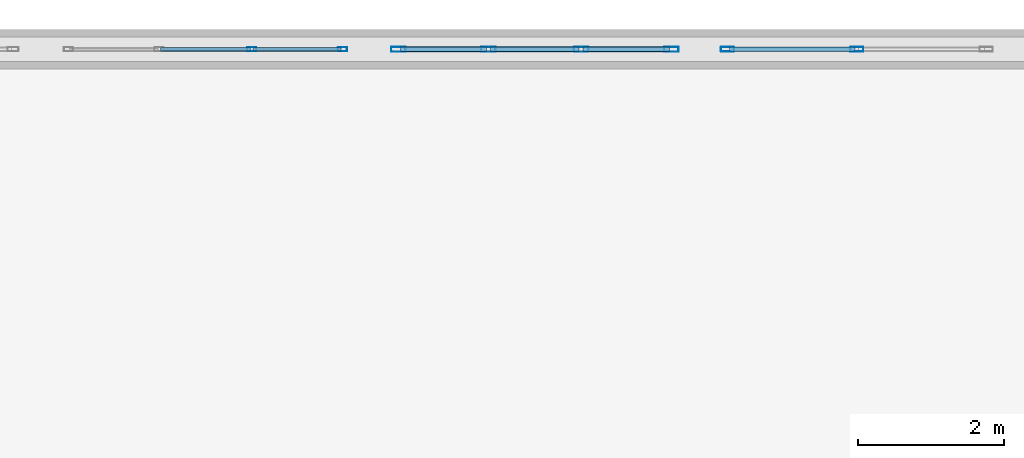
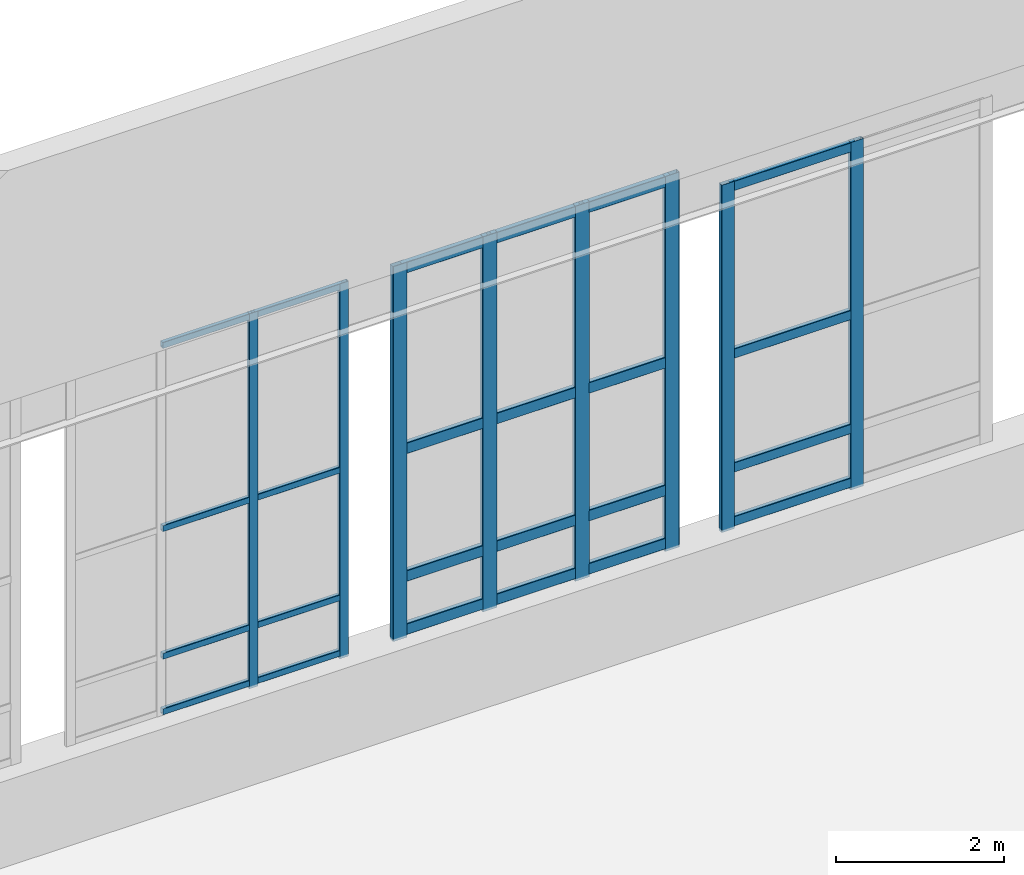
# One storey, part 67 of 97: 32 members, 3 elements without a shape of their own.
"""IFC4 building model written with IfcOpenShell, lengths in metres."""

from ifc_helpers import new_model, si_unit, derived_unit, direction, frame, origin, origin_2d, place, context, subcontext, project, spatial, hollow_rectangle, extrude, material, layer, layer_set, material_profile, profile_set, type_object, element, aggregate, save


model = new_model("IFC4")

# Units and contexts
model_context = context("Model", 3, precision=1e-05, world=origin(), true_north=direction((0.0, 1.0)))
body_context = subcontext(model_context, "Body", "Model", "MODEL_VIEW")
ifc_project = project(units=[si_unit("LENGTHUNIT", "METRE"), si_unit("AREAUNIT", "SQUARE_METRE"), si_unit("VOLUMEUNIT", "CUBIC_METRE"), si_unit("PLANEANGLEUNIT", "RADIAN"), si_unit("MASSUNIT", "GRAM", prefix="KILO"), derived_unit("THERMALTRANSMITTANCEUNIT", [(si_unit("POWERUNIT", "WATT"), 1), (si_unit("LENGTHUNIT", "METRE"), -2), (si_unit("THERMODYNAMICTEMPERATUREUNIT", "KELVIN"), -1)])], contexts=[model_context])

# Site, building, storey
site_placement = place(None, origin())
site = spatial("IfcSite", under=ifc_project, at=site_placement, CompositionType="ELEMENT")
building_placement = place(site_placement, origin())
building = spatial("IfcBuilding", under=site, at=building_placement, Name="Almenara Railside Exhibition Hall", CompositionType="ELEMENT")
storey_placement = place(building_placement, frame((0.0, 0.0, 10.800048828125)))
storey = spatial("IfcBuildingStorey", under=building, at=storey_placement, Name="L02", CompositionType="ELEMENT", Elevation=10.800048828125)

# Curtain wall, members
ifc_material_1 = material(Name="Bronze-anodised aluminium and low-E double glazing", Category="aluminium")
ifc_layer_1 = layer(ifc_material_1, 0.179931640625, Name="Bronze-anodised aluminium and low-E double glazing")
ifc_layer_set_1 = layer_set([ifc_layer_1], Name="Bronze-anodised aluminium and low-E double glazing")
curtain_wall_type_1 = type_object("IfcCurtainWallType", Name="Scroll Gable Tall Curtain Wall 3800x5400", PredefinedType="NOTDEFINED", material=ifc_layer_set_1)
curtain_wall_1_placement = place(storey_placement, origin())
curtain_wall_1 = element("IfcCurtainWall", 1, at=curtain_wall_1_placement, inside=storey, type_object=curtain_wall_type_1, Name="Curtain wall CW-G1-047", PredefinedType="NOTDEFINED")
ifc_material_2 = material(Name="Bronze-anodised aluminium", Category="aluminium")
ifc_material_profile_1 = material_profile(ifc_material_2, hollow_rectangle(XDim=0.054931640625, YDim=0.125, WallThickness=0.0029296875, InnerFilletRadius=0.0029296875, OuterFilletRadius=0.006103515625, at=origin_2d()), Name="ALU-MUL 55x125x3")
ifc_profile_set_1 = profile_set([ifc_material_profile_1], Name="Bronze-anodised aluminium")
member_type_1 = type_object("IfcMemberType", Name="Curtain Wall Mullion 55x125x3", PredefinedType="MULLION", material=ifc_profile_set_1)
member_1_placement = place(storey_placement, frame((39.2333984375, 132.0, 1.21484375), z_axis=(0.0, 0.0, 1.0), x_axis=(0.0, 1.0, 0.0)))
member_1 = element("IfcMember", 2, at=member_1_placement, type_object=member_type_1, Name="CW-G1-047 mullion 3", PredefinedType="MULLION", context=body_context, shape_type="SweptSolid", body=[
    extrude(hollow_rectangle(XDim=0.054931640625, YDim=0.125, WallThickness=0.0029296875, InnerFilletRadius=0.0029296875, OuterFilletRadius=0.006103515625, at=origin_2d()), origin(), (0.0, 0.0, 1.0), 5.43505859375),
])
member_2_placement = place(storey_placement, frame((40.472412109375, 132.0, 1.21484375), z_axis=(0.0, 0.0, 1.0), x_axis=(0.0, 1.0, 0.0)))
member_2 = element("IfcMember", 3, at=member_2_placement, type_object=member_type_1, Name="CW-G1-047 mullion 4", PredefinedType="MULLION", context=body_context, shape_type="SweptSolid", body=[
    extrude(hollow_rectangle(XDim=0.054931640625, YDim=0.125, WallThickness=0.0029296875, InnerFilletRadius=0.0029296875, OuterFilletRadius=0.006103515625, at=origin_2d()), origin(), (0.0, 0.0, 1.0), 5.43505859375),
])

ifc_layer_2 = layer(ifc_material_1, 0.179931640625, Name="Bronze-anodised aluminium and low-E double glazing")
ifc_layer_set_2 = layer_set([ifc_layer_2], Name="Bronze-anodised aluminium and low-E double glazing")
curtain_wall_type_2 = type_object("IfcCurtainWallType", Name="Scroll Gable Standard Curtain Wall 3600x5000", PredefinedType="NOTDEFINED", material=ifc_layer_set_2)
curtain_wall_2_placement = place(storey_placement, origin())
curtain_wall_2 = element("IfcCurtainWall", 4, at=curtain_wall_2_placement, inside=storey, type_object=curtain_wall_type_2, Name="Curtain wall CW-G2-049", PredefinedType="NOTDEFINED")
ifc_material_profile_2 = material_profile(ifc_material_2, hollow_rectangle(XDim=0.06494140625, YDim=0.179931640625, WallThickness=0.00390625, InnerFilletRadius=0.00390625, OuterFilletRadius=0.008056640625, at=origin_2d()), Name="ALU-MUL 65x180x4")
ifc_profile_set_2 = profile_set([ifc_material_profile_2], Name="Bronze-anodised aluminium")
member_type_2 = type_object("IfcMemberType", Name="Curtain Wall Mullion 65x180x4", PredefinedType="MULLION", material=ifc_profile_set_2)
member_3_placement = place(storey_placement, frame((45.732421875, 132.0, 1.21484375), z_axis=(0.0, 0.0, 1.0), x_axis=(0.0, 1.0, 0.0)))
member_3 = element("IfcMember", 5, at=member_3_placement, type_object=member_type_2, Name="CW-G2-049 mullion 1", PredefinedType="MULLION", context=body_context, shape_type="SweptSolid", body=[
    extrude(hollow_rectangle(XDim=0.06494140625, YDim=0.179931640625, WallThickness=0.00390625, InnerFilletRadius=0.00390625, OuterFilletRadius=0.008056640625, at=origin_2d()), origin(), (0.0, 0.0, 1.0), 5.03515625),
])
member_4_placement = place(storey_placement, frame((47.5, 132.0, 1.21484375), z_axis=(0.0, 0.0, 1.0), x_axis=(0.0, 1.0, 0.0)))
member_4 = element("IfcMember", 6, at=member_4_placement, type_object=member_type_2, Name="CW-G2-049 mullion 2", PredefinedType="MULLION", context=body_context, shape_type="SweptSolid", body=[
    extrude(hollow_rectangle(XDim=0.06494140625, YDim=0.179931640625, WallThickness=0.00390625, InnerFilletRadius=0.00390625, OuterFilletRadius=0.008056640625, at=origin_2d()), origin(), (0.0, 0.0, 1.0), 5.03515625),
])

curtain_wall_3_placement = place(storey_placement, origin())
curtain_wall_3 = element("IfcCurtainWall", 7, at=curtain_wall_3_placement, inside=storey, type_object=curtain_wall_type_1, Name="Curtain wall CW-G1-048", PredefinedType="NOTDEFINED")
ifc_material_profile_3 = material_profile(ifc_material_2, hollow_rectangle(XDim=0.070068359375, YDim=0.199951171875, WallThickness=0.00439453125, InnerFilletRadius=0.00439453125, OuterFilletRadius=0.009033203125, at=origin_2d()), Name="ALU-MUL 70x200x4.5")
ifc_profile_set_3 = profile_set([ifc_material_profile_3], Name="Bronze-anodised aluminium")
member_type_3 = type_object("IfcMemberType", Name="Curtain Wall Mullion 70x200x4.5", PredefinedType="MULLION", material=ifc_profile_set_3)
member_5_placement = place(storey_placement, frame((41.235107421875, 132.0, 1.21484375), z_axis=(0.0, 0.0, 1.0), x_axis=(0.0, 1.0, 0.0)))
member_5 = element("IfcMember", 8, at=member_5_placement, type_object=member_type_3, Name="CW-G1-048 mullion 1", PredefinedType="MULLION", context=body_context, shape_type="SweptSolid", body=[
    extrude(hollow_rectangle(XDim=0.070068359375, YDim=0.199951171875, WallThickness=0.00439453125, InnerFilletRadius=0.00439453125, OuterFilletRadius=0.009033203125, at=origin_2d()), origin(), (0.0, 0.0, 1.0), 5.43505859375),
])
member_6_placement = place(storey_placement, frame((42.466552734375, 132.0, 1.21484375), z_axis=(0.0, 0.0, 1.0), x_axis=(0.0, 1.0, 0.0)))
member_6 = element("IfcMember", 9, at=member_6_placement, type_object=member_type_3, Name="CW-G1-048 mullion 2", PredefinedType="MULLION", context=body_context, shape_type="SweptSolid", body=[
    extrude(hollow_rectangle(XDim=0.070068359375, YDim=0.199951171875, WallThickness=0.00439453125, InnerFilletRadius=0.00439453125, OuterFilletRadius=0.009033203125, at=origin_2d()), origin(), (0.0, 0.0, 1.0), 5.43505859375),
])
member_7_placement = place(storey_placement, frame((43.7333984375, 132.0, 1.21484375), z_axis=(0.0, 0.0, 1.0), x_axis=(0.0, 1.0, 0.0)))
member_7 = element("IfcMember", 10, at=member_7_placement, type_object=member_type_3, Name="CW-G1-048 mullion 3", PredefinedType="MULLION", context=body_context, shape_type="SweptSolid", body=[
    extrude(hollow_rectangle(XDim=0.070068359375, YDim=0.199951171875, WallThickness=0.00439453125, InnerFilletRadius=0.00439453125, OuterFilletRadius=0.009033203125, at=origin_2d()), origin(), (0.0, 0.0, 1.0), 5.43505859375),
])
member_8_placement = place(storey_placement, frame((44.965087890625, 132.0, 1.21484375), z_axis=(0.0, 0.0, 1.0), x_axis=(0.0, 1.0, 0.0)))
member_8 = element("IfcMember", 11, at=member_8_placement, type_object=member_type_3, Name="CW-G1-048 mullion 4", PredefinedType="MULLION", context=body_context, shape_type="SweptSolid", body=[
    extrude(hollow_rectangle(XDim=0.070068359375, YDim=0.199951171875, WallThickness=0.00439453125, InnerFilletRadius=0.00439453125, OuterFilletRadius=0.009033203125, at=origin_2d()), origin(), (0.0, 0.0, 1.0), 5.43505859375),
])

# Member
ifc_material_profile_4 = material_profile(ifc_material_2, hollow_rectangle(XDim=0.054931640625, YDim=0.090087890625, WallThickness=0.0029296875, InnerFilletRadius=0.0029296875, OuterFilletRadius=0.006103515625, at=origin_2d()), Name="ALU-TRN 55x90x3")
ifc_profile_set_4 = profile_set([ifc_material_profile_4], Name="Bronze-anodised aluminium")
member_type_4 = type_object("IfcMemberType", Name="Curtain Wall Transom 55x90x3", PredefinedType="USERDEFINED", material=ifc_profile_set_4)
member_9_placement = place(storey_placement, frame((37.986083984375, 132.0, 1.294921875), z_axis=(1.0, 0.0, 0.0), x_axis=(0.0, 1.0, 0.0)))
member_9 = element("IfcMember", 12, at=member_9_placement, type_object=member_type_4, Name="CW-G1-047 transom 2.1", ObjectType="TRANSOM", PredefinedType="USERDEFINED", context=body_context, shape_type="SweptSolid", body=[
    extrude(hollow_rectangle(XDim=0.054931640625, YDim=0.090087890625, WallThickness=0.0029296875, InnerFilletRadius=0.0029296875, OuterFilletRadius=0.006103515625, at=origin_2d()), origin(), (0.0, 0.0, 1.0), 1.227783203125),
])

member_10_placement = place(storey_placement, frame((37.986083984375, 132.0, 2.099853515625), z_axis=(1.0, 0.0, 0.0), x_axis=(0.0, 1.0, 0.0)))
member_10 = element("IfcMember", 13, at=member_10_placement, type_object=member_type_4, Name="CW-G1-047 transom 2.2", ObjectType="TRANSOM", PredefinedType="USERDEFINED", context=body_context, shape_type="SweptSolid", body=[
    extrude(hollow_rectangle(XDim=0.054931640625, YDim=0.090087890625, WallThickness=0.0029296875, InnerFilletRadius=0.0029296875, OuterFilletRadius=0.006103515625, at=origin_2d()), origin(), (0.0, 0.0, 1.0), 1.227783203125),
])

member_11_placement = place(storey_placement, frame((37.986083984375, 132.0, 3.949951171875), z_axis=(1.0, 0.0, 0.0), x_axis=(0.0, 1.0, 0.0)))
member_11 = element("IfcMember", 14, at=member_11_placement, type_object=member_type_4, Name="CW-G1-047 transom 2.3", ObjectType="TRANSOM", PredefinedType="USERDEFINED", context=body_context, shape_type="SweptSolid", body=[
    extrude(hollow_rectangle(XDim=0.054931640625, YDim=0.090087890625, WallThickness=0.0029296875, InnerFilletRadius=0.0029296875, OuterFilletRadius=0.006103515625, at=origin_2d()), origin(), (0.0, 0.0, 1.0), 1.227783203125),
])

member_12_placement = place(storey_placement, frame((37.986083984375, 132.0, 6.60498046875), z_axis=(1.0, 0.0, 0.0), x_axis=(0.0, 1.0, 0.0)))
member_12 = element("IfcMember", 15, at=member_12_placement, type_object=member_type_4, Name="CW-G1-047 transom 2.4", ObjectType="TRANSOM", PredefinedType="USERDEFINED", context=body_context, shape_type="SweptSolid", body=[
    extrude(hollow_rectangle(XDim=0.054931640625, YDim=0.090087890625, WallThickness=0.0029296875, InnerFilletRadius=0.0029296875, OuterFilletRadius=0.006103515625, at=origin_2d()), origin(), (0.0, 0.0, 1.0), 1.227783203125),
])

member_13_placement = place(storey_placement, frame((39.2529296875, 132.0, 1.294921875), z_axis=(1.0, 0.0, 0.0), x_axis=(0.0, 1.0, 0.0)))
member_13 = element("IfcMember", 16, at=member_13_placement, type_object=member_type_4, Name="CW-G1-047 transom 3.1", ObjectType="TRANSOM", PredefinedType="USERDEFINED", context=body_context, shape_type="SweptSolid", body=[
    extrude(hollow_rectangle(XDim=0.054931640625, YDim=0.090087890625, WallThickness=0.0029296875, InnerFilletRadius=0.0029296875, OuterFilletRadius=0.006103515625, at=origin_2d()), origin(), (0.0, 0.0, 1.0), 1.199951171875),
])

member_14_placement = place(storey_placement, frame((39.2529296875, 132.0, 2.099853515625), z_axis=(1.0, 0.0, 0.0), x_axis=(0.0, 1.0, 0.0)))
member_14 = element("IfcMember", 17, at=member_14_placement, type_object=member_type_4, Name="CW-G1-047 transom 3.2", ObjectType="TRANSOM", PredefinedType="USERDEFINED", context=body_context, shape_type="SweptSolid", body=[
    extrude(hollow_rectangle(XDim=0.054931640625, YDim=0.090087890625, WallThickness=0.0029296875, InnerFilletRadius=0.0029296875, OuterFilletRadius=0.006103515625, at=origin_2d()), origin(), (0.0, 0.0, 1.0), 1.199951171875),
])

member_15_placement = place(storey_placement, frame((39.2529296875, 132.0, 3.949951171875), z_axis=(1.0, 0.0, 0.0), x_axis=(0.0, 1.0, 0.0)))
member_15 = element("IfcMember", 18, at=member_15_placement, type_object=member_type_4, Name="CW-G1-047 transom 3.3", ObjectType="TRANSOM", PredefinedType="USERDEFINED", context=body_context, shape_type="SweptSolid", body=[
    extrude(hollow_rectangle(XDim=0.054931640625, YDim=0.090087890625, WallThickness=0.0029296875, InnerFilletRadius=0.0029296875, OuterFilletRadius=0.006103515625, at=origin_2d()), origin(), (0.0, 0.0, 1.0), 1.199951171875),
])

member_16_placement = place(storey_placement, frame((39.2529296875, 132.0, 6.60498046875), z_axis=(1.0, 0.0, 0.0), x_axis=(0.0, 1.0, 0.0)))
member_16 = element("IfcMember", 19, at=member_16_placement, type_object=member_type_4, Name="CW-G1-047 transom 3.4", ObjectType="TRANSOM", PredefinedType="USERDEFINED", context=body_context, shape_type="SweptSolid", body=[
    extrude(hollow_rectangle(XDim=0.054931640625, YDim=0.090087890625, WallThickness=0.0029296875, InnerFilletRadius=0.0029296875, OuterFilletRadius=0.006103515625, at=origin_2d()), origin(), (0.0, 0.0, 1.0), 1.199951171875),
])

aggregate(curtain_wall_1, [member_1, member_2, member_9, member_10, member_11, member_12, member_13, member_14, member_15, member_16])

ifc_material_profile_5 = material_profile(ifc_material_2, hollow_rectangle(XDim=0.06494140625, YDim=0.139892578125, WallThickness=0.00341796875, InnerFilletRadius=0.00341796875, OuterFilletRadius=0.007080078125, at=origin_2d()), Name="ALU-TRN 65x140x3.5")
ifc_profile_set_5 = profile_set([ifc_material_profile_5], Name="Bronze-anodised aluminium")
member_type_5 = type_object("IfcMemberType", Name="Curtain Wall Transom 65x140x3.5", PredefinedType="USERDEFINED", material=ifc_profile_set_5)
member_17_placement = place(storey_placement, frame((45.757080078125, 132.0, 1.320068359375), z_axis=(1.0, 0.0, 0.0), x_axis=(0.0, 1.0, 0.0)))
member_17 = element("IfcMember", 20, at=member_17_placement, type_object=member_type_5, Name="CW-G2-049 transom 1.1", ObjectType="TRANSOM", PredefinedType="USERDEFINED", context=body_context, shape_type="SweptSolid", body=[
    extrude(hollow_rectangle(XDim=0.06494140625, YDim=0.139892578125, WallThickness=0.00341796875, InnerFilletRadius=0.00341796875, OuterFilletRadius=0.007080078125, at=origin_2d()), origin(), (0.0, 0.0, 1.0), 1.718505859375),
])

member_18_placement = place(storey_placement, frame((45.757080078125, 132.0, 2.099853515625), z_axis=(1.0, 0.0, 0.0), x_axis=(0.0, 1.0, 0.0)))
member_18 = element("IfcMember", 21, at=member_18_placement, type_object=member_type_5, Name="CW-G2-049 transom 1.2", ObjectType="TRANSOM", PredefinedType="USERDEFINED", context=body_context, shape_type="SweptSolid", body=[
    extrude(hollow_rectangle(XDim=0.06494140625, YDim=0.139892578125, WallThickness=0.00341796875, InnerFilletRadius=0.00341796875, OuterFilletRadius=0.007080078125, at=origin_2d()), origin(), (0.0, 0.0, 1.0), 1.718505859375),
])

member_19_placement = place(storey_placement, frame((45.757080078125, 132.0, 3.75), z_axis=(1.0, 0.0, 0.0), x_axis=(0.0, 1.0, 0.0)))
member_19 = element("IfcMember", 22, at=member_19_placement, type_object=member_type_5, Name="CW-G2-049 transom 1.3", ObjectType="TRANSOM", PredefinedType="USERDEFINED", context=body_context, shape_type="SweptSolid", body=[
    extrude(hollow_rectangle(XDim=0.06494140625, YDim=0.139892578125, WallThickness=0.00341796875, InnerFilletRadius=0.00341796875, OuterFilletRadius=0.007080078125, at=origin_2d()), origin(), (0.0, 0.0, 1.0), 1.718505859375),
])

member_20_placement = place(storey_placement, frame((45.757080078125, 132.0, 6.179931640625), z_axis=(1.0, 0.0, 0.0), x_axis=(0.0, 1.0, 0.0)))
member_20 = element("IfcMember", 23, at=member_20_placement, type_object=member_type_5, Name="CW-G2-049 transom 1.4", ObjectType="TRANSOM", PredefinedType="USERDEFINED", context=body_context, shape_type="SweptSolid", body=[
    extrude(hollow_rectangle(XDim=0.06494140625, YDim=0.139892578125, WallThickness=0.00341796875, InnerFilletRadius=0.00341796875, OuterFilletRadius=0.007080078125, at=origin_2d()), origin(), (0.0, 0.0, 1.0), 1.718505859375),
])

aggregate(curtain_wall_2, [member_3, member_4, member_17, member_18, member_19, member_20])

ifc_material_profile_6 = material_profile(ifc_material_2, hollow_rectangle(XDim=0.070068359375, YDim=0.159912109375, WallThickness=0.00390625, InnerFilletRadius=0.00390625, OuterFilletRadius=0.008056640625, at=origin_2d()), Name="ALU-TRN 70x160x4")
ifc_profile_set_6 = profile_set([ifc_material_profile_6], Name="Bronze-anodised aluminium")
member_type_6 = type_object("IfcMemberType", Name="Curtain Wall Transom 70x160x4", PredefinedType="USERDEFINED", material=ifc_profile_set_6)
member_21_placement = place(storey_placement, frame((41.261962890625, 132.0, 1.329833984375), z_axis=(1.0, 0.0, 0.0), x_axis=(0.0, 1.0, 0.0)))
member_21 = element("IfcMember", 24, at=member_21_placement, type_object=member_type_6, Name="CW-G1-048 transom 1.1", ObjectType="TRANSOM", PredefinedType="USERDEFINED", context=body_context, shape_type="SweptSolid", body=[
    extrude(hollow_rectangle(XDim=0.070068359375, YDim=0.159912109375, WallThickness=0.00390625, InnerFilletRadius=0.00390625, OuterFilletRadius=0.008056640625, at=origin_2d()), origin(), (0.0, 0.0, 1.0), 1.177734375),
])

member_22_placement = place(storey_placement, frame((41.261962890625, 132.0, 2.099853515625), z_axis=(1.0, 0.0, 0.0), x_axis=(0.0, 1.0, 0.0)))
member_22 = element("IfcMember", 25, at=member_22_placement, type_object=member_type_6, Name="CW-G1-048 transom 1.2", ObjectType="TRANSOM", PredefinedType="USERDEFINED", context=body_context, shape_type="SweptSolid", body=[
    extrude(hollow_rectangle(XDim=0.070068359375, YDim=0.159912109375, WallThickness=0.00390625, InnerFilletRadius=0.00390625, OuterFilletRadius=0.008056640625, at=origin_2d()), origin(), (0.0, 0.0, 1.0), 1.177734375),
])

member_23_placement = place(storey_placement, frame((41.261962890625, 132.0, 3.949951171875), z_axis=(1.0, 0.0, 0.0), x_axis=(0.0, 1.0, 0.0)))
member_23 = element("IfcMember", 26, at=member_23_placement, type_object=member_type_6, Name="CW-G1-048 transom 1.3", ObjectType="TRANSOM", PredefinedType="USERDEFINED", context=body_context, shape_type="SweptSolid", body=[
    extrude(hollow_rectangle(XDim=0.070068359375, YDim=0.159912109375, WallThickness=0.00390625, InnerFilletRadius=0.00390625, OuterFilletRadius=0.008056640625, at=origin_2d()), origin(), (0.0, 0.0, 1.0), 1.177734375),
])

member_24_placement = place(storey_placement, frame((41.261962890625, 132.0, 6.570068359375), z_axis=(1.0, 0.0, 0.0), x_axis=(0.0, 1.0, 0.0)))
member_24 = element("IfcMember", 27, at=member_24_placement, type_object=member_type_6, Name="CW-G1-048 transom 1.4", ObjectType="TRANSOM", PredefinedType="USERDEFINED", context=body_context, shape_type="SweptSolid", body=[
    extrude(hollow_rectangle(XDim=0.070068359375, YDim=0.159912109375, WallThickness=0.00390625, InnerFilletRadius=0.00390625, OuterFilletRadius=0.008056640625, at=origin_2d()), origin(), (0.0, 0.0, 1.0), 1.177734375),
])

member_25_placement = place(storey_placement, frame((42.49365234375, 132.0, 1.329833984375), z_axis=(1.0, 0.0, 0.0), x_axis=(0.0, 1.0, 0.0)))
member_25 = element("IfcMember", 28, at=member_25_placement, type_object=member_type_6, Name="CW-G1-048 transom 2.1", ObjectType="TRANSOM", PredefinedType="USERDEFINED", context=body_context, shape_type="SweptSolid", body=[
    extrude(hollow_rectangle(XDim=0.070068359375, YDim=0.159912109375, WallThickness=0.00390625, InnerFilletRadius=0.00390625, OuterFilletRadius=0.008056640625, at=origin_2d()), origin(), (0.0, 0.0, 1.0), 1.212646484375),
])

member_26_placement = place(storey_placement, frame((42.49365234375, 132.0, 2.099853515625), z_axis=(1.0, 0.0, 0.0), x_axis=(0.0, 1.0, 0.0)))
member_26 = element("IfcMember", 29, at=member_26_placement, type_object=member_type_6, Name="CW-G1-048 transom 2.2", ObjectType="TRANSOM", PredefinedType="USERDEFINED", context=body_context, shape_type="SweptSolid", body=[
    extrude(hollow_rectangle(XDim=0.070068359375, YDim=0.159912109375, WallThickness=0.00390625, InnerFilletRadius=0.00390625, OuterFilletRadius=0.008056640625, at=origin_2d()), origin(), (0.0, 0.0, 1.0), 1.212646484375),
])

member_27_placement = place(storey_placement, frame((42.49365234375, 132.0, 3.949951171875), z_axis=(1.0, 0.0, 0.0), x_axis=(0.0, 1.0, 0.0)))
member_27 = element("IfcMember", 30, at=member_27_placement, type_object=member_type_6, Name="CW-G1-048 transom 2.3", ObjectType="TRANSOM", PredefinedType="USERDEFINED", context=body_context, shape_type="SweptSolid", body=[
    extrude(hollow_rectangle(XDim=0.070068359375, YDim=0.159912109375, WallThickness=0.00390625, InnerFilletRadius=0.00390625, OuterFilletRadius=0.008056640625, at=origin_2d()), origin(), (0.0, 0.0, 1.0), 1.212646484375),
])

member_28_placement = place(storey_placement, frame((42.49365234375, 132.0, 6.570068359375), z_axis=(1.0, 0.0, 0.0), x_axis=(0.0, 1.0, 0.0)))
member_28 = element("IfcMember", 31, at=member_28_placement, type_object=member_type_6, Name="CW-G1-048 transom 2.4", ObjectType="TRANSOM", PredefinedType="USERDEFINED", context=body_context, shape_type="SweptSolid", body=[
    extrude(hollow_rectangle(XDim=0.070068359375, YDim=0.159912109375, WallThickness=0.00390625, InnerFilletRadius=0.00390625, OuterFilletRadius=0.008056640625, at=origin_2d()), origin(), (0.0, 0.0, 1.0), 1.212646484375),
])

member_29_placement = place(storey_placement, frame((43.76025390625, 132.0, 1.329833984375), z_axis=(1.0, 0.0, 0.0), x_axis=(0.0, 1.0, 0.0)))
member_29 = element("IfcMember", 32, at=member_29_placement, type_object=member_type_6, Name="CW-G1-048 transom 3.1", ObjectType="TRANSOM", PredefinedType="USERDEFINED", context=body_context, shape_type="SweptSolid", body=[
    extrude(hollow_rectangle(XDim=0.070068359375, YDim=0.159912109375, WallThickness=0.00390625, InnerFilletRadius=0.00390625, OuterFilletRadius=0.008056640625, at=origin_2d()), origin(), (0.0, 0.0, 1.0), 1.177734375),
])

member_30_placement = place(storey_placement, frame((43.76025390625, 132.0, 2.099853515625), z_axis=(1.0, 0.0, 0.0), x_axis=(0.0, 1.0, 0.0)))
member_30 = element("IfcMember", 33, at=member_30_placement, type_object=member_type_6, Name="CW-G1-048 transom 3.2", ObjectType="TRANSOM", PredefinedType="USERDEFINED", context=body_context, shape_type="SweptSolid", body=[
    extrude(hollow_rectangle(XDim=0.070068359375, YDim=0.159912109375, WallThickness=0.00390625, InnerFilletRadius=0.00390625, OuterFilletRadius=0.008056640625, at=origin_2d()), origin(), (0.0, 0.0, 1.0), 1.177734375),
])

member_31_placement = place(storey_placement, frame((43.76025390625, 132.0, 3.949951171875), z_axis=(1.0, 0.0, 0.0), x_axis=(0.0, 1.0, 0.0)))
member_31 = element("IfcMember", 34, at=member_31_placement, type_object=member_type_6, Name="CW-G1-048 transom 3.3", ObjectType="TRANSOM", PredefinedType="USERDEFINED", context=body_context, shape_type="SweptSolid", body=[
    extrude(hollow_rectangle(XDim=0.070068359375, YDim=0.159912109375, WallThickness=0.00390625, InnerFilletRadius=0.00390625, OuterFilletRadius=0.008056640625, at=origin_2d()), origin(), (0.0, 0.0, 1.0), 1.177734375),
])

member_32_placement = place(storey_placement, frame((43.76025390625, 132.0, 6.570068359375), z_axis=(1.0, 0.0, 0.0), x_axis=(0.0, 1.0, 0.0)))
member_32 = element("IfcMember", 35, at=member_32_placement, type_object=member_type_6, Name="CW-G1-048 transom 3.4", ObjectType="TRANSOM", PredefinedType="USERDEFINED", context=body_context, shape_type="SweptSolid", body=[
    extrude(hollow_rectangle(XDim=0.070068359375, YDim=0.159912109375, WallThickness=0.00390625, InnerFilletRadius=0.00390625, OuterFilletRadius=0.008056640625, at=origin_2d()), origin(), (0.0, 0.0, 1.0), 1.177734375),
])

aggregate(curtain_wall_3, [member_5, member_6, member_7, member_8, member_21, member_22, member_23, member_24, member_25, member_26, member_27, member_28, member_29, member_30, member_31, member_32])

save(model, "model.ifc")
